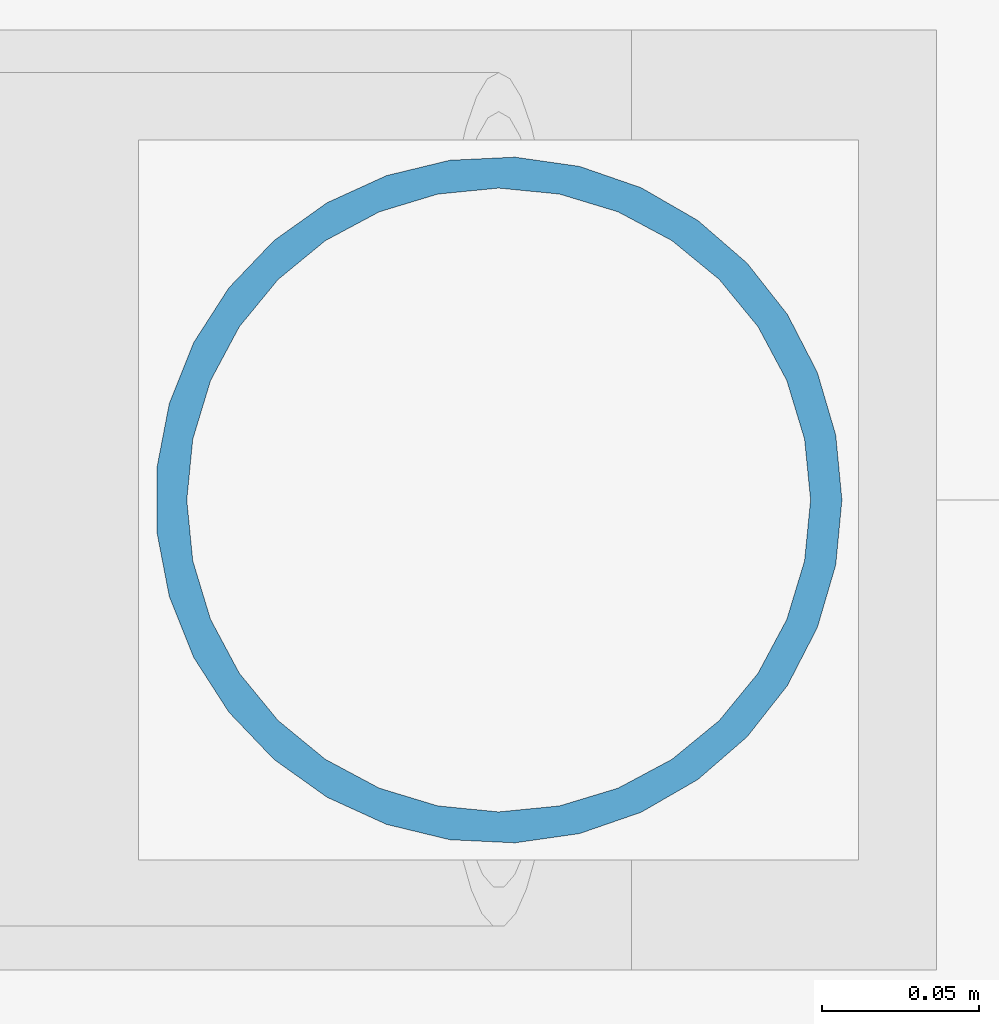
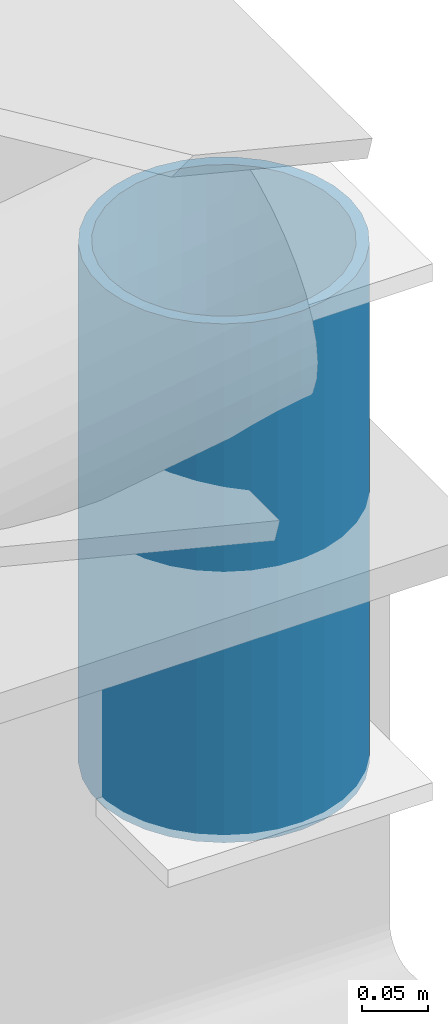
# One storey, part 32 of 61: 1 member.
"""IFC4 building model written with IfcOpenShell, lengths in metres."""

from ifc_helpers import new_model, si_unit, direction, frame, origin, origin_2d, place, context, subcontext, project, spatial, hollow_circle, extrude, material, material_profile, profile_set, type_object, element, save


model = new_model("IFC4")

# Units and contexts
model_context = context("Model", 3, precision=1e-05, world=origin(), true_north=direction((0.0, 1.0)))
body_context = subcontext(model_context, "Body", "Model", "MODEL_VIEW")
ifc_project = project(units=[si_unit("LENGTHUNIT", "METRE"), si_unit("AREAUNIT", "SQUARE_METRE"), si_unit("VOLUMEUNIT", "CUBIC_METRE"), si_unit("PLANEANGLEUNIT", "RADIAN"), si_unit("MASSUNIT", "GRAM", prefix="KILO")], contexts=[model_context])

# Site, building, storey
site_placement = place(None, origin())
site = spatial("IfcSite", under=ifc_project, at=site_placement, CompositionType="ELEMENT")
building_placement = place(site_placement, origin())
building = spatial("IfcBuilding", under=site, at=building_placement, Name="Bozkorgan Art Gallery", CompositionType="ELEMENT")
storey_placement = place(building_placement, frame((0.0, 0.0, 10.199951171875)))
storey = spatial("IfcBuildingStorey", under=building, at=storey_placement, Name="L02", CompositionType="ELEMENT", Elevation=10.199951171875)

# Member
ifc_material = material(Name="Steel S355J2", Category="steel")
ifc_material_profile = material_profile(ifc_material, hollow_circle(Radius=0.109619140625, WallThickness=0.010009765625, at=origin_2d()), Name="CHS 219.1x10")
ifc_profile_set = profile_set([ifc_material_profile], Name="Steel S355J2")
member_type = type_object("IfcMemberType", Name="MEMBER-TP-78", PredefinedType="POST", material=ifc_profile_set)
member_placement = place(storey_placement, frame((23.0, 93.60009765625, 0.25), z_axis=(0.0, 0.0, 1.0), x_axis=(1.0, 0.0, 0.0)))
element("IfcMember", 1, at=member_placement, inside=storey, type_object=member_type, Name="ROOF-V2-MAIN roof truss 6 post 5", PredefinedType="POST", context=body_context, shape_type="SweptSolid", body=[
    extrude(hollow_circle(Radius=0.109619140625, WallThickness=0.010009765625, at=origin_2d()), origin(), (0.0, 0.0, 1.0), 0.476318359375),
])

save(model, "model.ifc")
